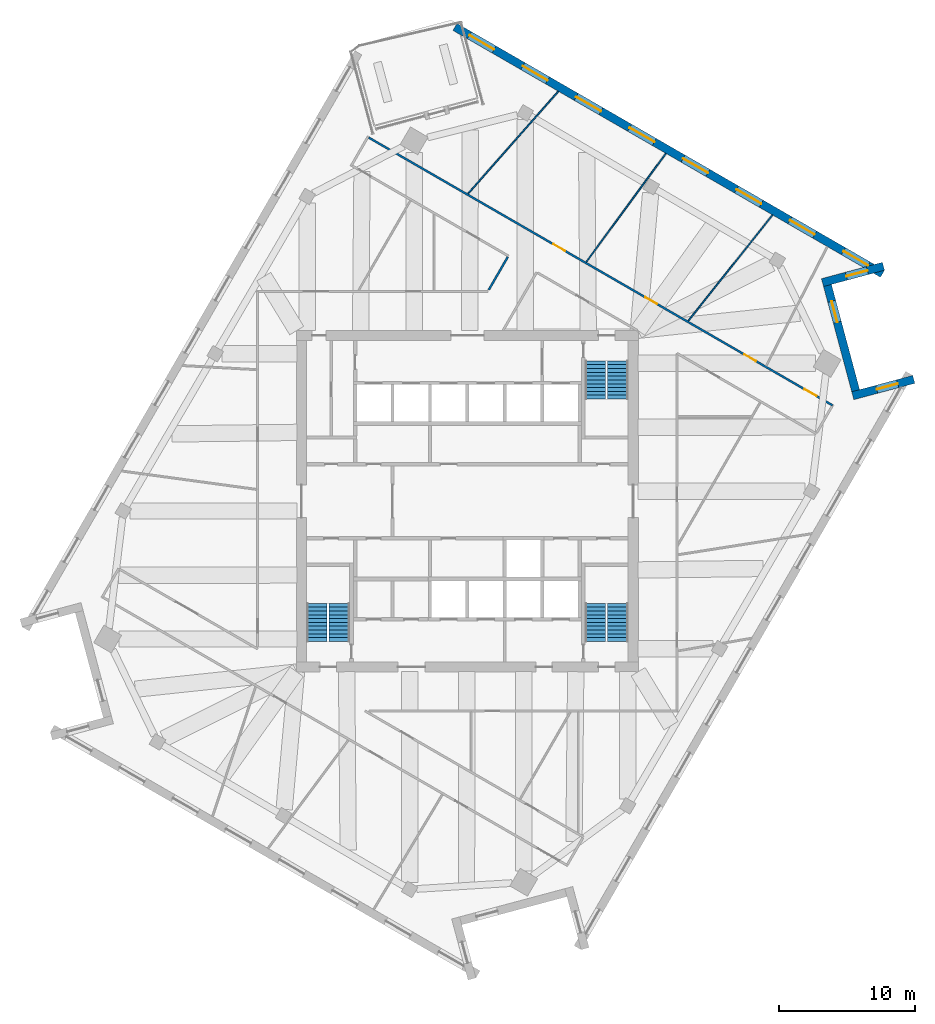
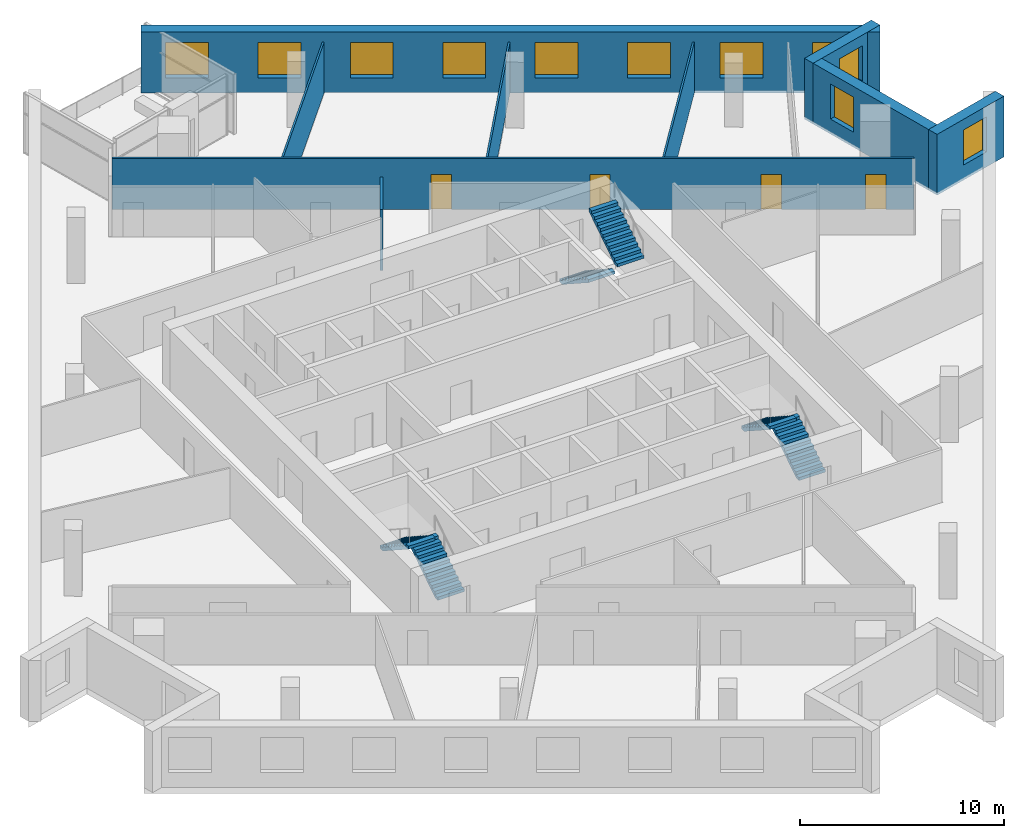
# One storey, part 11 of 13: 11 windows, 9 walls, 6 stair flights, 4 doors, 15 openings, 3 elements without a shape of their own.
"""IFC4 building model written with IfcOpenShell, lengths in metres."""

from ifc_helpers import new_model, si_unit, direction, frame, frame_2d, origin, place, context, subcontext, project, spatial, polyline, rectangle, outline, extrude, material, layer, layer_set, type_object, element, fill, aggregate, save


model = new_model("IFC4")

# Units and contexts
model_context = context("Model", 3, precision=1e-05, world=origin(), true_north=direction((0.0, 1.0)))
body_context = subcontext(model_context, "Body", "Model", "MODEL_VIEW")
ifc_project = project(units=[si_unit("LENGTHUNIT", "METRE"), si_unit("AREAUNIT", "SQUARE_METRE"), si_unit("VOLUMEUNIT", "CUBIC_METRE"), si_unit("PLANEANGLEUNIT", "RADIAN"), si_unit("MASSUNIT", "GRAM", prefix="KILO")], contexts=[model_context])

# Site, building, storey
site_placement = place(None, origin())
site = spatial("IfcSite", under=ifc_project, at=site_placement, CompositionType="ELEMENT")
building_placement = place(site_placement, origin())
building = spatial("IfcBuilding", under=site, at=building_placement, Name="Dilmun Exchange Tower", CompositionType="ELEMENT")
storey_placement = place(building_placement, frame((0.0, 0.0, 262.89990234375)))
storey = spatial("IfcBuildingStorey", under=building, at=storey_placement, Name="L62", CompositionType="ELEMENT", Elevation=262.89990234375)

# Wall, openings, doors
ifc_material_1 = material(Name="Corridor wall 150")
ifc_layer_1 = layer(ifc_material_1, 0.14990234375)
ifc_layer_set_1 = layer_set([ifc_layer_1], Name="Corridor wall 150")
wall_type_1 = type_object("IfcWallType", Name="Corridor wall 150", PredefinedType="PARTITIONING", material=ifc_layer_set_1)
wall_1_placement = place(storey_placement, frame((-7.2470703125, 26.697509765625, 0.0), z_axis=(0.0, 0.0, 1.0), x_axis=(0.866022442497, -0.500005129065, 0.0)))
wall_1 = element("IfcWall", 1, at=wall_1_placement, inside=storey, type_object=wall_type_1, Name="Corridor wall", PredefinedType="PARTITIONING", context=body_context, shape_type="SweptSolid", body=[
    extrude(rectangle(XDim=39.32470703125, YDim=0.14990234375, at=frame_2d((19.662353515625, 0.0))), origin(), (0.0, 0.0, 1.0), 3.0400390625),
])
opening_1_placement = place(wall_1_placement, frame((15.653564453125, 0.0, 0.0)))
opening_1 = element("IfcOpeningElement", 2, at=opening_1_placement, cuts=wall_1, Name="Opening TF62-D16", PredefinedType="OPENING", context=body_context, shape_type="SweptSolid", body=[
    extrude(rectangle(XDim=1.0, YDim=2.10009765625, at=frame_2d((0.5, 1.050048828125))), frame((0.0, 0.0849609375, 0.0), z_axis=(0.0, -1.0, 0.0), x_axis=(1.0, 0.0, 0.0)), (0.0, 0.0, 1.0), 0.169921875),
])
opening_2_placement = place(wall_1_placement, frame((23.441650390625, 0.0, 0.0)))
opening_2 = element("IfcOpeningElement", 3, at=opening_2_placement, cuts=wall_1, Name="Opening TF62-D17", PredefinedType="OPENING", context=body_context, shape_type="SweptSolid", body=[
    extrude(rectangle(XDim=1.0, YDim=2.10009765625, at=frame_2d((0.5, 1.050048828125))), frame((0.0, 0.0849609375, 0.0), z_axis=(0.0, -1.0, 0.0), x_axis=(1.0, 0.0, 0.0)), (0.0, 0.0, 1.0), 0.169921875),
])
opening_3_placement = place(wall_1_placement, frame((31.84130859375, 0.0, 0.0)))
opening_3 = element("IfcOpeningElement", 4, at=opening_3_placement, cuts=wall_1, Name="Opening TF62-D21", PredefinedType="OPENING", context=body_context, shape_type="SweptSolid", body=[
    extrude(rectangle(XDim=1.0, YDim=2.10009765625, at=frame_2d((0.5, 1.050048828125))), frame((0.0, 0.0849609375, 0.0), z_axis=(0.0, -1.0, 0.0), x_axis=(1.0, 0.0, 0.0)), (0.0, 0.0, 1.0), 0.169921875),
])
opening_4_placement = place(wall_1_placement, frame((36.955078125, 0.0, 0.0)))
opening_4 = element("IfcOpeningElement", 5, at=opening_4_placement, cuts=wall_1, Name="Opening TF62-D22", PredefinedType="OPENING", context=body_context, shape_type="SweptSolid", body=[
    extrude(rectangle(XDim=1.0, YDim=2.10009765625, at=frame_2d((0.5, 1.050048828125))), frame((0.0, 0.0849609375, 0.0), z_axis=(0.0, -1.0, 0.0), x_axis=(1.0, 0.0, 0.0)), (0.0, 0.0, 1.0), 0.169921875),
])
ifc_material_2 = material(Name="Fire door 1000 x 2100")
door_type = type_object("IfcDoorType", Name="Fire door 1000 x 2100", OperationType="NOTDEFINED", PredefinedType="DOOR", material=ifc_material_2)
door_1_placement = place(opening_1_placement, origin())
door_1 = element("IfcDoor", 6, at=door_1_placement, inside=storey, type_object=door_type, Name="Door TF62-D16", OperationType="SINGLE_SWING_RIGHT", OverallHeight=2.10009765625, OverallWidth=1.0, PredefinedType="DOOR", context=body_context, shape_type="SweptSolid", body=[
    extrude(rectangle(XDim=1.0, YDim=2.10009765625, at=frame_2d((0.5, 1.050048828125))), frame((0.0, 0.02490234375, 0.0), z_axis=(0.0, -1.0, 0.0), x_axis=(1.0, 0.0, 0.0)), (0.0, 0.0, 1.0), 0.050048828125),
])
fill(opening_1, door_1)
door_2_placement = place(opening_2_placement, origin())
door_2 = element("IfcDoor", 7, at=door_2_placement, inside=storey, type_object=door_type, Name="Door TF62-D17", OperationType="SINGLE_SWING_RIGHT", OverallHeight=2.10009765625, OverallWidth=1.0, PredefinedType="DOOR", context=body_context, shape_type="SweptSolid", body=[
    extrude(rectangle(XDim=1.0, YDim=2.10009765625, at=frame_2d((0.5, 1.050048828125))), frame((0.0, 0.02490234375, 0.0), z_axis=(0.0, -1.0, 0.0), x_axis=(1.0, 0.0, 0.0)), (0.0, 0.0, 1.0), 0.050048828125),
])
fill(opening_2, door_2)
door_3_placement = place(opening_3_placement, origin())
door_3 = element("IfcDoor", 8, at=door_3_placement, inside=storey, type_object=door_type, Name="Door TF62-D21", OperationType="SINGLE_SWING_RIGHT", OverallHeight=2.10009765625, OverallWidth=1.0, PredefinedType="DOOR", context=body_context, shape_type="SweptSolid", body=[
    extrude(rectangle(XDim=1.0, YDim=2.10009765625, at=frame_2d((0.5, 1.050048828125))), frame((0.0, 0.02490234375, 0.0), z_axis=(0.0, -1.0, 0.0), x_axis=(1.0, 0.0, 0.0)), (0.0, 0.0, 1.0), 0.050048828125),
])
fill(opening_3, door_3)
door_4_placement = place(opening_4_placement, origin())
door_4 = element("IfcDoor", 9, at=door_4_placement, inside=storey, type_object=door_type, Name="Door TF62-D22", OperationType="SINGLE_SWING_RIGHT", OverallHeight=2.10009765625, OverallWidth=1.0, PredefinedType="DOOR", context=body_context, shape_type="SweptSolid", body=[
    extrude(rectangle(XDim=1.0, YDim=2.10009765625, at=frame_2d((0.5, 1.050048828125))), frame((0.0, 0.02490234375, 0.0), z_axis=(0.0, -1.0, 0.0), x_axis=(1.0, 0.0, 0.0)), (0.0, 0.0, 1.0), 0.050048828125),
])
fill(opening_4, door_4)

# Walls
wall_2_placement = place(storey_placement, frame((1.56591796875, 15.512451171875, 0.0), z_axis=(0.0, 0.0, 1.0), x_axis=(0.500136902793, 0.865946348491, 0.0)))
element("IfcWall", 10, at=wall_2_placement, inside=storey, type_object=wall_type_1, Name="Corridor wall", PredefinedType="PARTITIONING", context=body_context, shape_type="SweptSolid", body=[
    extrude(rectangle(XDim=2.804443359375, YDim=0.14990234375, at=frame_2d((1.40234375, 0.0))), origin(), (0.0, 0.0, 1.0), 3.64013671875),
])
ifc_material_3 = material(Name="Partition 100")
ifc_layer_2 = layer(ifc_material_3, 0.10009765625)
ifc_layer_set_2 = layer_set([ifc_layer_2], Name="Partition 100")
wall_type_2 = type_object("IfcWallType", Name="Partition 100", PredefinedType="PARTITIONING", material=ifc_layer_set_2)
wall_3_placement = place(storey_placement, frame((0.04541015625, 22.5859375, 0.0), z_axis=(0.0, 0.0, 1.0), x_axis=(0.662385571542, 0.749163102811, 0.0)))
element("IfcWall", 11, at=wall_3_placement, inside=storey, type_object=wall_type_2, Name="Partition", PredefinedType="PARTITIONING", context=body_context, shape_type="SweptSolid", body=[
    extrude(rectangle(XDim=10.015625, YDim=0.10009765625, at=frame_2d((5.0078125, 0.0))), origin(), (0.0, 0.0, 1.0), 3.0400390625),
])
wall_4_placement = place(storey_placement, frame((8.727783203125, 17.5673828125, 0.0), z_axis=(0.0, 0.0, 1.0), x_axis=(0.591764258376, 0.806111073307, 0.0)))
element("IfcWall", 12, at=wall_4_placement, inside=storey, type_object=wall_type_2, Name="Partition", PredefinedType="PARTITIONING", context=body_context, shape_type="SweptSolid", body=[
    extrude(rectangle(XDim=9.879638671875, YDim=0.10009765625, at=frame_2d((4.93994140625, 0.0))), origin(), (0.0, 0.0, 1.0), 3.0400390625),
])
wall_5_placement = place(storey_placement, frame((16.222900390625, 13.2421875, 0.0), z_axis=(0.0, 0.0, 1.0), x_axis=(0.622346910835, 0.78274154264, 0.0)))
element("IfcWall", 13, at=wall_5_placement, inside=storey, type_object=wall_type_2, Name="Partition", PredefinedType="PARTITIONING", context=body_context, shape_type="SweptSolid", body=[
    extrude(rectangle(XDim=9.92724609375, YDim=0.10009765625, at=frame_2d((4.963623046875, 0.0))), origin(), (0.0, 0.0, 1.0), 3.0400390625),
])

# Wall, opening, window
ifc_material_4 = material(Name="Precast concrete C50/60", Category="concrete")
ifc_layer_3 = layer(ifc_material_4, 0.60009765625)
ifc_layer_set_3 = layer_set([ifc_layer_3], Name="Precast concrete C50/60")
wall_type_3 = type_object("IfcWallType", Name="Precast stone-clad wall 600", PredefinedType="STANDARD", material=ifc_layer_set_3)
wall_6_placement = place(storey_placement, frame((32.77392578125, 8.94189453125, 0.0), z_axis=(0.0, 0.0, 1.0), x_axis=(-0.965928304125, -0.258809797517, 0.0)))
wall_6 = element("IfcWall", 14, at=wall_6_placement, inside=storey, type_object=wall_type_3, Name="Facade wall L62-12", PredefinedType="STANDARD", context=body_context, shape_type="SweptSolid", body=[
    extrude(rectangle(XDim=4.635498046875, YDim=0.60009765625, at=frame_2d((2.31787109375, 0.0))), origin(), (0.0, 0.0, 1.0), 3.64013671875),
])
opening_5_placement = place(wall_6_placement, frame((1.2177734375, 0.0, 0.89990234375)))
opening_5 = element("IfcOpeningElement", 15, at=opening_5_placement, cuts=wall_6, Name="Opening W160-210", PredefinedType="OPENING", context=body_context, shape_type="SweptSolid", body=[
    extrude(rectangle(XDim=1.60009765625, YDim=2.10009765625, at=frame_2d((0.800048828125, 1.050048828125))), frame((0.0, 0.31005859375, 0.0), z_axis=(0.0, -1.0, 0.0), x_axis=(1.0, 0.0, 0.0)), (0.0, 0.0, 1.0), 0.6201171875),
])
ifc_material_5 = material(Name="Clear low-emissivity glass in aluminium frame", Category="aluminium")
window_type_1 = type_object("IfcWindowType", Name="Punched window 1600 x 2100", PartitioningType="DOUBLE_PANEL_VERTICAL", PredefinedType="WINDOW", material=ifc_material_5)
window_1_placement = place(opening_5_placement, origin())
window_1 = element("IfcWindow", 16, at=window_1_placement, inside=storey, type_object=window_type_1, Name="Window 13.1", OverallHeight=2.10009765625, OverallWidth=1.60009765625, PartitioningType="SINGLE_PANEL", PredefinedType="WINDOW", context=body_context, shape_type="SweptSolid", body=[
    extrude(rectangle(XDim=1.60009765625, YDim=2.10009765625, at=frame_2d((0.800048828125, 1.050048828125))), frame((0.0, 0.030029296875, 0.0), z_axis=(0.0, -1.0, 0.0), x_axis=(1.0, 0.0, 0.0)), (0.0, 0.0, 1.0), 0.06005859375),
])
fill(opening_5, window_1)

wall_7_placement = place(storey_placement, frame((28.508544921875, 8.109619140625, 0.0), z_axis=(0.0, 0.0, 1.0), x_axis=(-0.258815405168, 0.965926801599, 0.0)))
wall_7 = element("IfcWall", 17, at=wall_7_placement, inside=storey, type_object=wall_type_3, Name="Facade wall L62-13", PredefinedType="STANDARD", context=body_context, shape_type="SweptSolid", body=[
    extrude(rectangle(XDim=8.000244140625, YDim=0.60009765625, at=frame_2d((4.0, 0.0))), origin(), (0.0, 0.0, 1.0), 3.64013671875),
])
opening_6_placement = place(wall_7_placement, frame((5.199951171875, 0.0, 0.89990234375)))
opening_6 = element("IfcOpeningElement", 18, at=opening_6_placement, cuts=wall_7, Name="Opening W160-210", PredefinedType="OPENING", context=body_context, shape_type="SweptSolid", body=[
    extrude(rectangle(XDim=1.60009765625, YDim=2.10009765625, at=frame_2d((0.800048828125, 1.050048828125))), frame((0.0, 0.31005859375, 0.0), z_axis=(0.0, -1.0, 0.0), x_axis=(1.0, 0.0, 0.0)), (0.0, 0.0, 1.0), 0.6201171875),
])
window_2_placement = place(opening_6_placement, origin())
window_2 = element("IfcWindow", 19, at=window_2_placement, inside=storey, type_object=window_type_1, Name="Window 14.2", OverallHeight=2.10009765625, OverallWidth=1.60009765625, PartitioningType="SINGLE_PANEL", PredefinedType="WINDOW", context=body_context, shape_type="SweptSolid", body=[
    extrude(rectangle(XDim=1.60009765625, YDim=2.10009765625, at=frame_2d((0.800048828125, 1.050048828125))), frame((0.0, 0.030029296875, 0.0), z_axis=(0.0, -1.0, 0.0), x_axis=(1.0, 0.0, 0.0)), (0.0, 0.0, 1.0), 0.06005859375),
])
fill(opening_6, window_2)

wall_8_placement = place(storey_placement, frame((26.070556640625, 16.04931640625, 0.0), z_axis=(0.0, 0.0, 1.0), x_axis=(0.965928304125, 0.258809797517, 0.0)))
wall_8 = element("IfcWall", 20, at=wall_8_placement, inside=storey, type_object=wall_type_3, Name="Facade wall L62-14", PredefinedType="STANDARD", context=body_context, shape_type="SweptSolid", body=[
    extrude(rectangle(XDim=4.635498046875, YDim=0.60009765625, at=frame_2d((2.31787109375, 0.0))), origin(), (0.0, 0.0, 1.0), 3.64013671875),
])
opening_7_placement = place(wall_8_placement, frame((1.81787109375, 0.0, 0.89990234375)))
opening_7 = element("IfcOpeningElement", 21, at=opening_7_placement, cuts=wall_8, Name="Opening W160-210", PredefinedType="OPENING", context=body_context, shape_type="SweptSolid", body=[
    extrude(rectangle(XDim=1.60009765625, YDim=2.10009765625, at=frame_2d((0.800048828125, 1.050048828125))), frame((0.0, 0.31005859375, 0.0), z_axis=(0.0, -1.0, 0.0), x_axis=(1.0, 0.0, 0.0)), (0.0, 0.0, 1.0), 0.6201171875),
])
window_3_placement = place(opening_7_placement, origin())
window_3 = element("IfcWindow", 22, at=window_3_placement, inside=storey, type_object=window_type_1, Name="Window 15.1", OverallHeight=2.10009765625, OverallWidth=1.60009765625, PartitioningType="SINGLE_PANEL", PredefinedType="WINDOW", context=body_context, shape_type="SweptSolid", body=[
    extrude(rectangle(XDim=1.60009765625, YDim=2.10009765625, at=frame_2d((0.800048828125, 1.050048828125))), frame((0.0, 0.030029296875, 0.0), z_axis=(0.0, -1.0, 0.0), x_axis=(1.0, 0.0, 0.0)), (0.0, 0.0, 1.0), 0.06005859375),
])
fill(opening_7, window_3)

# Wall, openings, windows
wall_9_placement = place(storey_placement, frame((30.475830078125, 16.699462890625, 0.0), z_axis=(0.0, 0.0, 1.0), x_axis=(-0.866025061514, 0.500000592829, 0.0)))
wall_9 = element("IfcWall", 23, at=wall_9_placement, inside=storey, type_object=wall_type_3, Name="Facade wall L62-15", PredefinedType="STANDARD", context=body_context, shape_type="SweptSolid", body=[
    extrude(rectangle(XDim=36.2431640625, YDim=0.60009765625, at=frame_2d((18.12158203125, 0.0))), origin(), (0.0, 0.0, 1.0), 3.64013671875),
])
opening_8_placement = place(wall_9_placement, frame((1.215087890625, 0.0, 0.89990234375)))
opening_8 = element("IfcOpeningElement", 24, at=opening_8_placement, cuts=wall_9, Name="Opening W210-210", PredefinedType="OPENING", context=body_context, shape_type="SweptSolid", body=[
    extrude(rectangle(XDim=2.10009765625, YDim=2.10009765625, at=frame_2d((1.050048828125, 1.050048828125))), frame((0.0, 0.31005859375, 0.0), z_axis=(0.0, -1.0, 0.0), x_axis=(1.0, 0.0, 0.0)), (0.0, 0.0, 1.0), 0.6201171875),
])
opening_9_placement = place(wall_9_placement, frame((5.74560546875, 0.0, 0.89990234375)))
opening_9 = element("IfcOpeningElement", 25, at=opening_9_placement, cuts=wall_9, Name="Opening W210-210", PredefinedType="OPENING", context=body_context, shape_type="SweptSolid", body=[
    extrude(rectangle(XDim=2.10009765625, YDim=2.10009765625, at=frame_2d((1.050048828125, 1.050048828125))), frame((0.0, 0.31005859375, 0.0), z_axis=(0.0, -1.0, 0.0), x_axis=(1.0, 0.0, 0.0)), (0.0, 0.0, 1.0), 0.6201171875),
])
opening_10_placement = place(wall_9_placement, frame((10.27587890625, 0.0, 0.89990234375)))
opening_10 = element("IfcOpeningElement", 26, at=opening_10_placement, cuts=wall_9, Name="Opening W210-210", PredefinedType="OPENING", context=body_context, shape_type="SweptSolid", body=[
    extrude(rectangle(XDim=2.10009765625, YDim=2.10009765625, at=frame_2d((1.050048828125, 1.050048828125))), frame((0.0, 0.31005859375, 0.0), z_axis=(0.0, -1.0, 0.0), x_axis=(1.0, 0.0, 0.0)), (0.0, 0.0, 1.0), 0.6201171875),
])
opening_11_placement = place(wall_9_placement, frame((14.806396484375, 0.0, 0.89990234375)))
opening_11 = element("IfcOpeningElement", 27, at=opening_11_placement, cuts=wall_9, Name="Opening W210-210", PredefinedType="OPENING", context=body_context, shape_type="SweptSolid", body=[
    extrude(rectangle(XDim=2.10009765625, YDim=2.10009765625, at=frame_2d((1.050048828125, 1.050048828125))), frame((0.0, 0.31005859375, 0.0), z_axis=(0.0, -1.0, 0.0), x_axis=(1.0, 0.0, 0.0)), (0.0, 0.0, 1.0), 0.6201171875),
])
opening_12_placement = place(wall_9_placement, frame((19.3369140625, 0.0, 0.89990234375)))
opening_12 = element("IfcOpeningElement", 28, at=opening_12_placement, cuts=wall_9, Name="Opening W210-210", PredefinedType="OPENING", context=body_context, shape_type="SweptSolid", body=[
    extrude(rectangle(XDim=2.10009765625, YDim=2.10009765625, at=frame_2d((1.050048828125, 1.050048828125))), frame((0.0, 0.31005859375, 0.0), z_axis=(0.0, -1.0, 0.0), x_axis=(1.0, 0.0, 0.0)), (0.0, 0.0, 1.0), 0.6201171875),
])
opening_13_placement = place(wall_9_placement, frame((23.8671875, 0.0, 0.89990234375)))
opening_13 = element("IfcOpeningElement", 29, at=opening_13_placement, cuts=wall_9, Name="Opening W210-210", PredefinedType="OPENING", context=body_context, shape_type="SweptSolid", body=[
    extrude(rectangle(XDim=2.10009765625, YDim=2.10009765625, at=frame_2d((1.050048828125, 1.050048828125))), frame((0.0, 0.31005859375, 0.0), z_axis=(0.0, -1.0, 0.0), x_axis=(1.0, 0.0, 0.0)), (0.0, 0.0, 1.0), 0.6201171875),
])
opening_14_placement = place(wall_9_placement, frame((28.397705078125, 0.0, 0.89990234375)))
opening_14 = element("IfcOpeningElement", 30, at=opening_14_placement, cuts=wall_9, Name="Opening W210-210", PredefinedType="OPENING", context=body_context, shape_type="SweptSolid", body=[
    extrude(rectangle(XDim=2.10009765625, YDim=2.10009765625, at=frame_2d((1.050048828125, 1.050048828125))), frame((0.0, 0.31005859375, 0.0), z_axis=(0.0, -1.0, 0.0), x_axis=(1.0, 0.0, 0.0)), (0.0, 0.0, 1.0), 0.6201171875),
])
opening_15_placement = place(wall_9_placement, frame((32.927978515625, 0.0, 0.89990234375)))
opening_15 = element("IfcOpeningElement", 31, at=opening_15_placement, cuts=wall_9, Name="Opening W210-210", PredefinedType="OPENING", context=body_context, shape_type="SweptSolid", body=[
    extrude(rectangle(XDim=2.10009765625, YDim=2.10009765625, at=frame_2d((1.050048828125, 1.050048828125))), frame((0.0, 0.31005859375, 0.0), z_axis=(0.0, -1.0, 0.0), x_axis=(1.0, 0.0, 0.0)), (0.0, 0.0, 1.0), 0.6201171875),
])
window_type_2 = type_object("IfcWindowType", Name="Punched window 2100 x 2100", PartitioningType="DOUBLE_PANEL_VERTICAL", PredefinedType="WINDOW", material=ifc_material_5)
window_4_placement = place(opening_8_placement, origin())
window_4 = element("IfcWindow", 32, at=window_4_placement, inside=storey, type_object=window_type_2, Name="Window 16.1", OverallHeight=2.10009765625, OverallWidth=2.10009765625, PartitioningType="SINGLE_PANEL", PredefinedType="WINDOW", context=body_context, shape_type="SweptSolid", body=[
    extrude(rectangle(XDim=2.10009765625, YDim=2.10009765625, at=frame_2d((1.050048828125, 1.050048828125))), frame((0.0, 0.030029296875, 0.0), z_axis=(0.0, -1.0, 0.0), x_axis=(1.0, 0.0, 0.0)), (0.0, 0.0, 1.0), 0.06005859375),
])
fill(opening_8, window_4)
window_5_placement = place(opening_9_placement, origin())
window_5 = element("IfcWindow", 33, at=window_5_placement, inside=storey, type_object=window_type_2, Name="Window 16.2", OverallHeight=2.10009765625, OverallWidth=2.10009765625, PartitioningType="SINGLE_PANEL", PredefinedType="WINDOW", context=body_context, shape_type="SweptSolid", body=[
    extrude(rectangle(XDim=2.10009765625, YDim=2.10009765625, at=frame_2d((1.050048828125, 1.050048828125))), frame((0.0, 0.030029296875, 0.0), z_axis=(0.0, -1.0, 0.0), x_axis=(1.0, 0.0, 0.0)), (0.0, 0.0, 1.0), 0.06005859375),
])
fill(opening_9, window_5)
window_6_placement = place(opening_10_placement, origin())
window_6 = element("IfcWindow", 34, at=window_6_placement, inside=storey, type_object=window_type_2, Name="Window 16.3", OverallHeight=2.10009765625, OverallWidth=2.10009765625, PartitioningType="SINGLE_PANEL", PredefinedType="WINDOW", context=body_context, shape_type="SweptSolid", body=[
    extrude(rectangle(XDim=2.10009765625, YDim=2.10009765625, at=frame_2d((1.050048828125, 1.050048828125))), frame((0.0, 0.030029296875, 0.0), z_axis=(0.0, -1.0, 0.0), x_axis=(1.0, 0.0, 0.0)), (0.0, 0.0, 1.0), 0.06005859375),
])
fill(opening_10, window_6)
window_7_placement = place(opening_11_placement, origin())
window_7 = element("IfcWindow", 35, at=window_7_placement, inside=storey, type_object=window_type_2, Name="Window 16.4", OverallHeight=2.10009765625, OverallWidth=2.10009765625, PartitioningType="SINGLE_PANEL", PredefinedType="WINDOW", context=body_context, shape_type="SweptSolid", body=[
    extrude(rectangle(XDim=2.10009765625, YDim=2.10009765625, at=frame_2d((1.050048828125, 1.050048828125))), frame((0.0, 0.030029296875, 0.0), z_axis=(0.0, -1.0, 0.0), x_axis=(1.0, 0.0, 0.0)), (0.0, 0.0, 1.0), 0.06005859375),
])
fill(opening_11, window_7)
window_8_placement = place(opening_12_placement, origin())
window_8 = element("IfcWindow", 36, at=window_8_placement, inside=storey, type_object=window_type_2, Name="Window 16.5", OverallHeight=2.10009765625, OverallWidth=2.10009765625, PartitioningType="SINGLE_PANEL", PredefinedType="WINDOW", context=body_context, shape_type="SweptSolid", body=[
    extrude(rectangle(XDim=2.10009765625, YDim=2.10009765625, at=frame_2d((1.050048828125, 1.050048828125))), frame((0.0, 0.030029296875, 0.0), z_axis=(0.0, -1.0, 0.0), x_axis=(1.0, 0.0, 0.0)), (0.0, 0.0, 1.0), 0.06005859375),
])
fill(opening_12, window_8)
window_9_placement = place(opening_13_placement, origin())
window_9 = element("IfcWindow", 37, at=window_9_placement, inside=storey, type_object=window_type_2, Name="Window 16.6", OverallHeight=2.10009765625, OverallWidth=2.10009765625, PartitioningType="SINGLE_PANEL", PredefinedType="WINDOW", context=body_context, shape_type="SweptSolid", body=[
    extrude(rectangle(XDim=2.10009765625, YDim=2.10009765625, at=frame_2d((1.050048828125, 1.050048828125))), frame((0.0, 0.030029296875, 0.0), z_axis=(0.0, -1.0, 0.0), x_axis=(1.0, 0.0, 0.0)), (0.0, 0.0, 1.0), 0.06005859375),
])
fill(opening_13, window_9)
window_10_placement = place(opening_14_placement, origin())
window_10 = element("IfcWindow", 38, at=window_10_placement, inside=storey, type_object=window_type_2, Name="Window 16.7", OverallHeight=2.10009765625, OverallWidth=2.10009765625, PartitioningType="SINGLE_PANEL", PredefinedType="WINDOW", context=body_context, shape_type="SweptSolid", body=[
    extrude(rectangle(XDim=2.10009765625, YDim=2.10009765625, at=frame_2d((1.050048828125, 1.050048828125))), frame((0.0, 0.030029296875, 0.0), z_axis=(0.0, -1.0, 0.0), x_axis=(1.0, 0.0, 0.0)), (0.0, 0.0, 1.0), 0.06005859375),
])
fill(opening_14, window_10)
window_11_placement = place(opening_15_placement, origin())
window_11 = element("IfcWindow", 39, at=window_11_placement, inside=storey, type_object=window_type_2, Name="Window 16.8", OverallHeight=2.10009765625, OverallWidth=2.10009765625, PartitioningType="SINGLE_PANEL", PredefinedType="WINDOW", context=body_context, shape_type="SweptSolid", body=[
    extrude(rectangle(XDim=2.10009765625, YDim=2.10009765625, at=frame_2d((1.050048828125, 1.050048828125))), frame((0.0, 0.030029296875, 0.0), z_axis=(0.0, -1.0, 0.0), x_axis=(1.0, 0.0, 0.0)), (0.0, 0.0, 1.0), 0.06005859375),
])
fill(opening_15, window_11)

# Stair, stair flights
ifc_material_6 = material(Name="Concrete C40/50", Category="concrete")
stair_type = type_object("IfcStairType", Name="Exit stair 1500 half-turn", PredefinedType="HALF_TURN_STAIR", material=ifc_material_6)
stair_1_placement = place(storey_placement, origin())
stair_1 = element("IfcStair", 40, at=stair_1_placement, inside=storey, type_object=stair_type, Name="L62 Protected exit stair ST1", PredefinedType="HALF_TURN_STAIR")
stair_flight_type = type_object("IfcStairFlightType", Name="Exit stair flight 1500", PredefinedType="STRAIGHT", material=ifc_material_6)
stair_flight_1_placement = place(storey_placement, frame((9.39990234375, 10.300048828125, 0.0), z_axis=(0.0, 0.0, 1.0), x_axis=(0.0, -1.0, 0.0)))
stair_flight_1 = element("IfcStairFlight", 41, at=stair_flight_1_placement, type_object=stair_flight_type, Name="ST1 flight 1", NumberOfRisers=11, NumberOfTreads=10, PredefinedType="STRAIGHT", RiserHeight=0.181818182, TreadLength=0.28, context=body_context, shape_type="SweptSolid", body=[
    extrude(outline(polyline([(0.0, 0.0), (0.0, 0.181884765625), (0.280029296875, 0.181884765625), (0.280029296875, 0.363525390625), (0.56005859375, 0.363525390625), (0.56005859375, 0.54541015625), (0.840087890625, 0.54541015625), (0.840087890625, 0.727294921875), (1.1201171875, 0.727294921875), (1.1201171875, 0.9091796875), (1.39990234375, 0.9091796875), (1.39990234375, 1.0908203125), (1.679931640625, 1.0908203125), (1.679931640625, 1.272705078125), (1.9599609375, 1.272705078125), (1.9599609375, 1.45458984375), (2.239990234375, 1.45458984375), (2.239990234375, 1.636474609375), (2.52001953125, 1.636474609375), (2.52001953125, 1.818115234375), (2.800048828125, 1.818115234375), (2.800048828125, 2.0), (2.800048828125, 1.639404296875), (0.275146484375, 0.0), (0.0, 0.0)])), frame((0.0, 0.75, 0.0), z_axis=(0.0, -1.0, 0.0), x_axis=(1.0, 0.0, 0.0)), (0.0, 0.0, 1.0), 1.5),
])
stair_flight_2_placement = place(storey_placement, frame((11.050048828125, 7.5, 2.0), z_axis=(0.0, 0.0, 1.0), x_axis=(0.0, 1.0, 0.0)))
stair_flight_2 = element("IfcStairFlight", 42, at=stair_flight_2_placement, type_object=stair_flight_type, Name="ST1 flight 2", NumberOfRisers=11, NumberOfTreads=10, PredefinedType="STRAIGHT", RiserHeight=0.181818182, TreadLength=0.28, context=body_context, shape_type="SweptSolid", body=[
    extrude(outline(polyline([(0.0, 0.0), (0.0, 0.181884765625), (0.280029296875, 0.181884765625), (0.280029296875, 0.363525390625), (0.56005859375, 0.363525390625), (0.56005859375, 0.54541015625), (0.840087890625, 0.54541015625), (0.840087890625, 0.727294921875), (1.1201171875, 0.727294921875), (1.1201171875, 0.9091796875), (1.39990234375, 0.9091796875), (1.39990234375, 1.0908203125), (1.679931640625, 1.0908203125), (1.679931640625, 1.272705078125), (1.9599609375, 1.272705078125), (1.9599609375, 1.45458984375), (2.239990234375, 1.45458984375), (2.239990234375, 1.636474609375), (2.52001953125, 1.636474609375), (2.52001953125, 1.818115234375), (2.800048828125, 1.818115234375), (2.800048828125, 2.0), (2.800048828125, 1.639404296875), (0.275146484375, 0.0), (0.0, 0.0)])), frame((0.0, 0.75, 0.0), z_axis=(0.0, -1.0, 0.0), x_axis=(1.0, 0.0, 0.0)), (0.0, 0.0, 1.0), 1.5),
])
aggregate(stair_1, [stair_flight_1, stair_flight_2])

stair_2_placement = place(storey_placement, origin())
stair_2 = element("IfcStair", 43, at=stair_2_placement, inside=storey, type_object=stair_type, Name="L62 Protected exit stair ST2", PredefinedType="HALF_TURN_STAIR")
stair_flight_3_placement = place(storey_placement, frame((-9.39990234375, -10.300048828125, 0.0), z_axis=(0.0, 0.0, 1.0), x_axis=(0.0, 1.0, 0.0)))
stair_flight_3 = element("IfcStairFlight", 44, at=stair_flight_3_placement, type_object=stair_flight_type, Name="ST2 flight 1", NumberOfRisers=11, NumberOfTreads=10, PredefinedType="STRAIGHT", RiserHeight=0.181818182, TreadLength=0.28, context=body_context, shape_type="SweptSolid", body=[
    extrude(outline(polyline([(0.0, 0.0), (0.0, 0.181884765625), (0.280029296875, 0.181884765625), (0.280029296875, 0.363525390625), (0.56005859375, 0.363525390625), (0.56005859375, 0.54541015625), (0.840087890625, 0.54541015625), (0.840087890625, 0.727294921875), (1.1201171875, 0.727294921875), (1.1201171875, 0.9091796875), (1.39990234375, 0.9091796875), (1.39990234375, 1.0908203125), (1.679931640625, 1.0908203125), (1.679931640625, 1.272705078125), (1.9599609375, 1.272705078125), (1.9599609375, 1.45458984375), (2.239990234375, 1.45458984375), (2.239990234375, 1.636474609375), (2.52001953125, 1.636474609375), (2.52001953125, 1.818115234375), (2.800048828125, 1.818115234375), (2.800048828125, 2.0), (2.800048828125, 1.639404296875), (0.275146484375, 0.0), (0.0, 0.0)])), frame((0.0, 0.75, 0.0), z_axis=(0.0, -1.0, 0.0), x_axis=(1.0, 0.0, 0.0)), (0.0, 0.0, 1.0), 1.5),
])
stair_flight_4_placement = place(storey_placement, frame((-11.050048828125, -7.5, 2.0), z_axis=(0.0, 0.0, 1.0), x_axis=(0.0, -1.0, 0.0)))
stair_flight_4 = element("IfcStairFlight", 45, at=stair_flight_4_placement, type_object=stair_flight_type, Name="ST2 flight 2", NumberOfRisers=11, NumberOfTreads=10, PredefinedType="STRAIGHT", RiserHeight=0.181818182, TreadLength=0.28, context=body_context, shape_type="SweptSolid", body=[
    extrude(outline(polyline([(0.0, 0.0), (0.0, 0.181884765625), (0.280029296875, 0.181884765625), (0.280029296875, 0.363525390625), (0.56005859375, 0.363525390625), (0.56005859375, 0.54541015625), (0.840087890625, 0.54541015625), (0.840087890625, 0.727294921875), (1.1201171875, 0.727294921875), (1.1201171875, 0.9091796875), (1.39990234375, 0.9091796875), (1.39990234375, 1.0908203125), (1.679931640625, 1.0908203125), (1.679931640625, 1.272705078125), (1.9599609375, 1.272705078125), (1.9599609375, 1.45458984375), (2.239990234375, 1.45458984375), (2.239990234375, 1.636474609375), (2.52001953125, 1.636474609375), (2.52001953125, 1.818115234375), (2.800048828125, 1.818115234375), (2.800048828125, 2.0), (2.800048828125, 1.639404296875), (0.275146484375, 0.0), (0.0, 0.0)])), frame((0.0, 0.75, 0.0), z_axis=(0.0, -1.0, 0.0), x_axis=(1.0, 0.0, 0.0)), (0.0, 0.0, 1.0), 1.5),
])
aggregate(stair_2, [stair_flight_3, stair_flight_4])

stair_3_placement = place(storey_placement, origin())
stair_3 = element("IfcStair", 46, at=stair_3_placement, inside=storey, type_object=stair_type, Name="L62 Protected exit stair ST3", PredefinedType="HALF_TURN_STAIR")
stair_flight_5_placement = place(storey_placement, frame((11.050048828125, -10.300048828125, 0.0), z_axis=(0.0, 0.0, 1.0), x_axis=(0.0, 1.0, 0.0)))
stair_flight_5 = element("IfcStairFlight", 47, at=stair_flight_5_placement, type_object=stair_flight_type, Name="ST3 flight 1", NumberOfRisers=11, NumberOfTreads=10, PredefinedType="STRAIGHT", RiserHeight=0.181818182, TreadLength=0.28, context=body_context, shape_type="SweptSolid", body=[
    extrude(outline(polyline([(0.0, 0.0), (0.0, 0.181884765625), (0.280029296875, 0.181884765625), (0.280029296875, 0.363525390625), (0.56005859375, 0.363525390625), (0.56005859375, 0.54541015625), (0.840087890625, 0.54541015625), (0.840087890625, 0.727294921875), (1.1201171875, 0.727294921875), (1.1201171875, 0.9091796875), (1.39990234375, 0.9091796875), (1.39990234375, 1.0908203125), (1.679931640625, 1.0908203125), (1.679931640625, 1.272705078125), (1.9599609375, 1.272705078125), (1.9599609375, 1.45458984375), (2.239990234375, 1.45458984375), (2.239990234375, 1.636474609375), (2.52001953125, 1.636474609375), (2.52001953125, 1.818115234375), (2.800048828125, 1.818115234375), (2.800048828125, 2.0), (2.800048828125, 1.639404296875), (0.275146484375, 0.0), (0.0, 0.0)])), frame((0.0, 0.75, 0.0), z_axis=(0.0, -1.0, 0.0), x_axis=(1.0, 0.0, 0.0)), (0.0, 0.0, 1.0), 1.5),
])
stair_flight_6_placement = place(storey_placement, frame((9.39990234375, -7.5, 2.0), z_axis=(0.0, 0.0, 1.0), x_axis=(0.0, -1.0, 0.0)))
stair_flight_6 = element("IfcStairFlight", 48, at=stair_flight_6_placement, type_object=stair_flight_type, Name="ST3 flight 2", NumberOfRisers=11, NumberOfTreads=10, PredefinedType="STRAIGHT", RiserHeight=0.181818182, TreadLength=0.28, context=body_context, shape_type="SweptSolid", body=[
    extrude(outline(polyline([(0.0, 0.0), (0.0, 0.181884765625), (0.280029296875, 0.181884765625), (0.280029296875, 0.363525390625), (0.56005859375, 0.363525390625), (0.56005859375, 0.54541015625), (0.840087890625, 0.54541015625), (0.840087890625, 0.727294921875), (1.1201171875, 0.727294921875), (1.1201171875, 0.9091796875), (1.39990234375, 0.9091796875), (1.39990234375, 1.0908203125), (1.679931640625, 1.0908203125), (1.679931640625, 1.272705078125), (1.9599609375, 1.272705078125), (1.9599609375, 1.45458984375), (2.239990234375, 1.45458984375), (2.239990234375, 1.636474609375), (2.52001953125, 1.636474609375), (2.52001953125, 1.818115234375), (2.800048828125, 1.818115234375), (2.800048828125, 2.0), (2.800048828125, 1.639404296875), (0.275146484375, 0.0), (0.0, 0.0)])), frame((0.0, 0.75, 0.0), z_axis=(0.0, -1.0, 0.0), x_axis=(1.0, 0.0, 0.0)), (0.0, 0.0, 1.0), 1.5),
])
aggregate(stair_3, [stair_flight_5, stair_flight_6])

save(model, "model.ifc")
